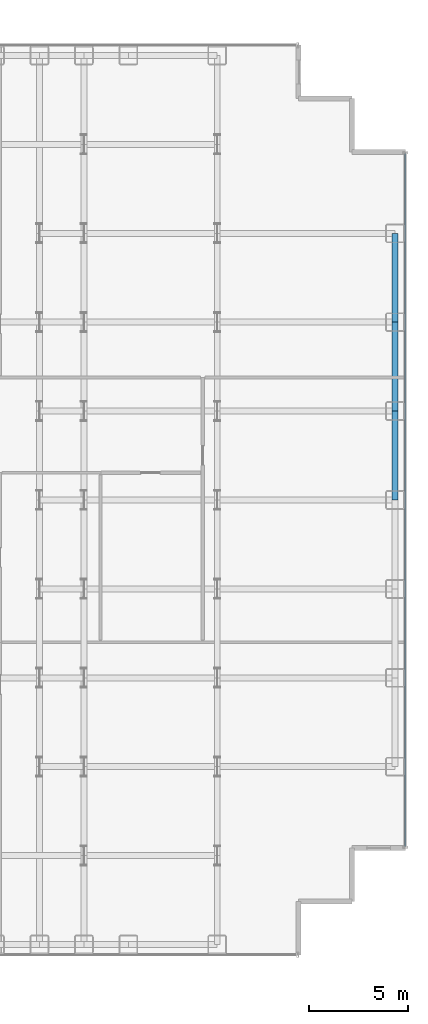
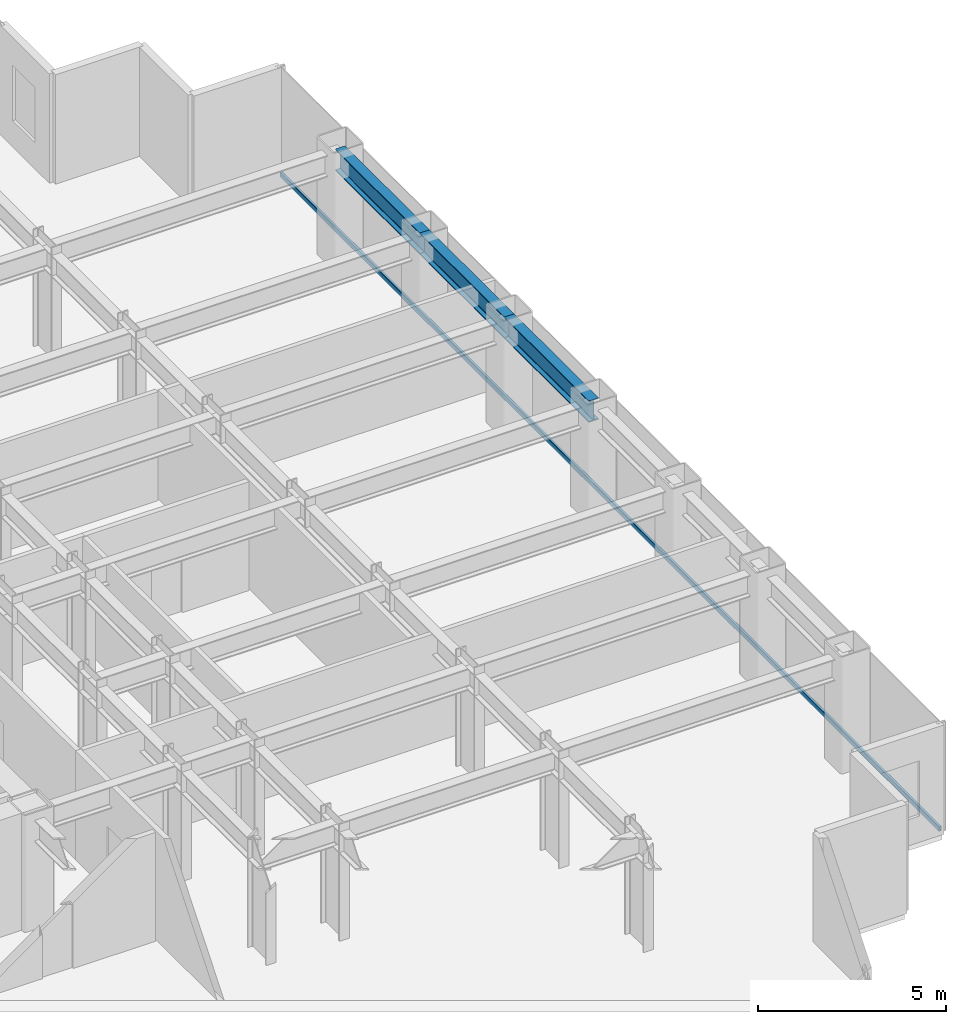
# One storey, part 17 of 27: 3 beams, 1 member, 1 element without a shape of its own.
"""IFC4 building model written with IfcOpenShell, lengths in metres."""

from ifc_helpers import new_model, si_unit, direction, frame, origin, origin_2d, place, context, subcontext, project, spatial, hollow_rectangle, i_section, extrude, source, transform, mapped, material, layer, layer_set, material_profile, profile_set, type_object, element, aggregate, save


model = new_model("IFC4")

# Units and contexts
model_context = context("Model", 3, precision=1e-05, world=origin(), true_north=direction((0.0, 1.0)))
body_context = subcontext(model_context, "Body", "Model", "MODEL_VIEW")
ifc_project = project(units=[si_unit("LENGTHUNIT", "METRE"), si_unit("AREAUNIT", "SQUARE_METRE"), si_unit("VOLUMEUNIT", "CUBIC_METRE"), si_unit("PLANEANGLEUNIT", "RADIAN"), si_unit("MASSUNIT", "GRAM", prefix="KILO")], contexts=[model_context])

# Site, building, storey
site_placement = place(None, origin())
site = spatial("IfcSite", under=ifc_project, at=site_placement, CompositionType="ELEMENT")
building_placement = place(site_placement, origin())
building = spatial("IfcBuilding", under=site, at=building_placement, Name="Nefas-Gora Pilgrimage Tower", CompositionType="ELEMENT")
storey_placement = place(building_placement, frame((0.0, 0.0, 48.199951171875)))
storey = spatial("IfcBuildingStorey", under=building, at=storey_placement, Name="L10", CompositionType="ELEMENT", Elevation=48.199951171875)

# Beams
ifc_material_1 = material(Name="Steel S355", Category="steel")
ifc_material_profile_1 = material_profile(ifc_material_1, i_section(OverallWidth=0.300048828125, OverallDepth=0.699951171875, WebThickness=0.01708984375, FlangeThickness=0.031982421875, FilletRadius=0.027099609375, at=origin_2d()), Name="HEB 700")
ifc_profile_set_1 = profile_set([ifc_material_profile_1], Name="Steel S355")
beam_type = type_object("IfcBeamType", Name="BM-SPN-HEB600", PredefinedType="SPANDREL", material=ifc_profile_set_1)
shared_shape_1 = source(origin(), body_context, "Body", "SweptSolid", [
    extrude(i_section(OverallWidth=0.300048828125, OverallDepth=0.699951171875, WebThickness=0.01708984375, FlangeThickness=0.031982421875, FilletRadius=0.027099609375, at=origin_2d()), origin(), (0.0, 0.0, 1.0), 4.5),
])
for number, where, z_axis, x_axis, name in (
    (1, (33.75, 0.0, 3.199951171875), (0.0, 1.0, 0.0), (-1.0, 0.0, 0.0), "L10 SP-01 beam"),
    (2, (33.75, 4.5, 3.199951171875), (0.0, 1.0, 0.0), (-1.0, 0.0, 0.0), "L10 SP-01 beam"),
    (3, (33.75, 9.0, 3.199951171875), (0.0, 1.0, 0.0), (-1.0, 0.0, 0.0), "L10 SP-01 beam"),
):
    element("IfcBeam", number, at=place(storey_placement, frame(where, z_axis=z_axis, x_axis=x_axis)), inside=storey, type_object=beam_type, Name=name, PredefinedType="SPANDREL", context=body_context, shape_type="MappedRepresentation", body=[
        mapped(shared_shape_1, transform((0.0, 0.0, 0.0), x_axis=(1.0, 0.0, 0.0), y_axis=(0.0, 1.0, 0.0), z_axis=(0.0, 0.0, 1.0), scale=1.0)),
    ])

# Curtain wall, member
ifc_material_2 = material(Name="Dark ceramic-fritted solar-control aluminium-glass curtain wall", Category="aluminium")
ifc_layer = layer(ifc_material_2, 0.219970703125)
ifc_layer_set = layer_set([ifc_layer], Name="Dark ceramic-fritted solar-control aluminium-glass curtain wall")
curtain_wall_type = type_object("IfcCurtainWallType", Name="CW-SYS-2", PredefinedType="NOTDEFINED", material=ifc_layer_set)
curtain_wall_placement = place(storey_placement, origin())
curtain_wall = element("IfcCurtainWall", 4, at=curtain_wall_placement, inside=storey, type_object=curtain_wall_type, Name="L10 Unitised Curtain Wall CW2", PredefinedType="NOTDEFINED")
ifc_material_3 = material(Name="Anodised architectural aluminium", Category="aluminium")
ifc_material_profile_2 = material_profile(ifc_material_3, hollow_rectangle(XDim=0.080078125, YDim=0.159912109375, WallThickness=0.00439453125, InnerFilletRadius=0.00439453125, OuterFilletRadius=0.009033203125, at=origin_2d()), Name="ALU TRANSOM 80x160")
ifc_profile_set_2 = profile_set([ifc_material_profile_2], Name="Anodised architectural aluminium")
member_type = type_object("IfcMemberType", Name="CWM-TRN-2", PredefinedType="USERDEFINED", material=ifc_profile_set_2)
shared_shape_2 = source(origin(), body_context, "Body", "SweptSolid", [
    extrude(hollow_rectangle(XDim=0.080078125, YDim=0.159912109375, WallThickness=0.00439453125, InnerFilletRadius=0.00439453125, OuterFilletRadius=0.009033203125, at=origin_2d()), origin(), (0.0, 0.0, 1.0), 35.06005859375),
])
member_placement = place(storey_placement, frame((34.27001953125, -17.530029296875, 0.050048828125), z_axis=(0.0, 1.0, 0.0), x_axis=(-1.0, 0.0, 0.0)))
member = element("IfcMember", 5, at=member_placement, type_object=member_type, Name="CW2 Spandrel Transom", ObjectType="TRANSOM", PredefinedType="USERDEFINED", context=body_context, shape_type="MappedRepresentation", body=[
    mapped(shared_shape_2, transform((0.0, 0.0, 0.0), x_axis=(1.0, 0.0, 0.0), y_axis=(0.0, 1.0, 0.0), z_axis=(0.0, 0.0, 1.0), scale=1.0)),
])
aggregate(curtain_wall, [member])

save(model, "model.ifc")
